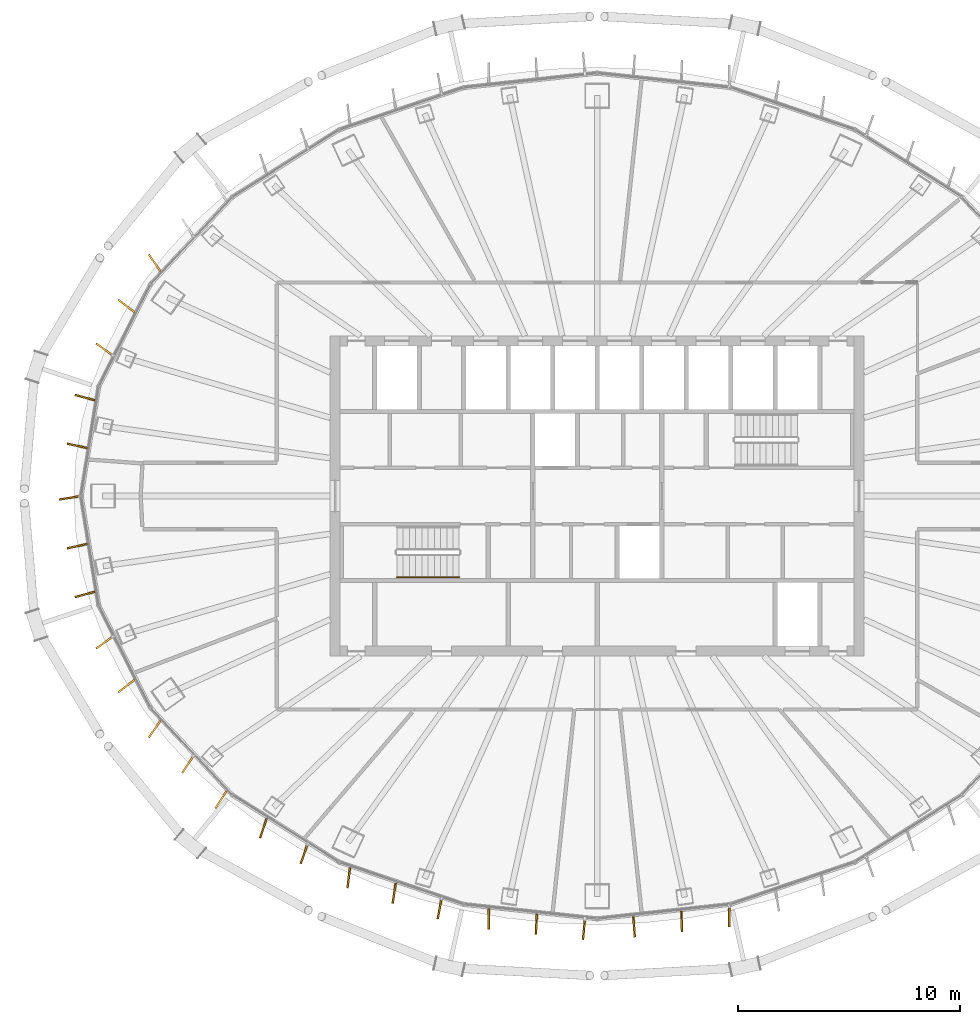
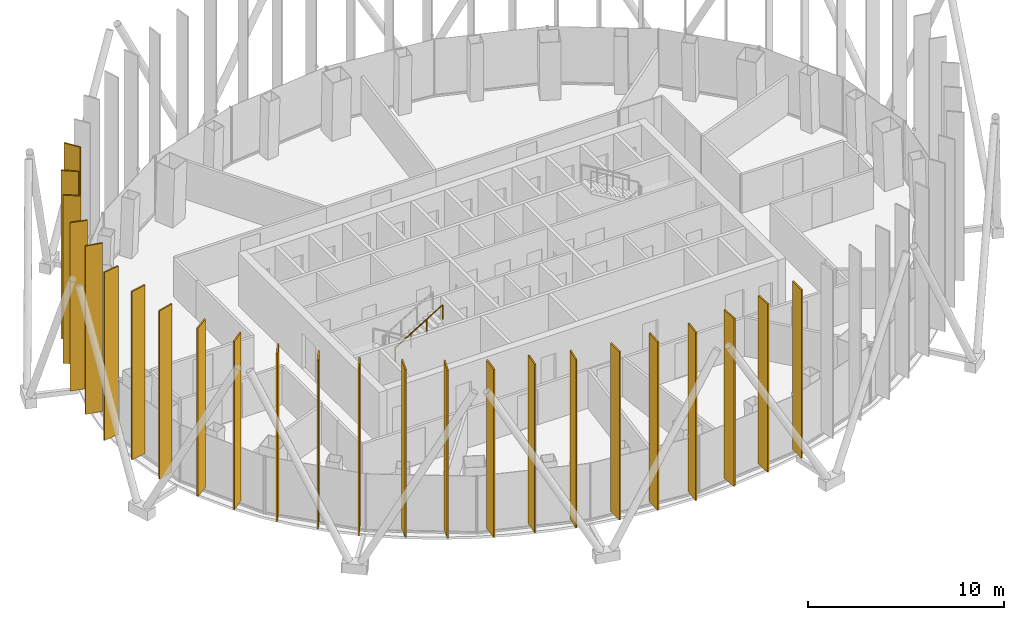
# One storey, part 16 of 19: 24 shading devices, 1 railing.
"""IFC4 building model written with IfcOpenShell, lengths in metres."""

from ifc_helpers import new_model, si_unit, direction, frame, origin, origin_2d, place, context, subcontext, project, spatial, rectangle, circle, extrude, material, layer, layer_set, type_object, element, save


model = new_model("IFC4")

# Units and contexts
model_context = context("Model", 3, precision=1e-05, world=origin(), true_north=direction((0.0, 1.0)))
body_context = subcontext(model_context, "Body", "Model", "MODEL_VIEW")
ifc_project = project(units=[si_unit("LENGTHUNIT", "METRE"), si_unit("AREAUNIT", "SQUARE_METRE"), si_unit("VOLUMEUNIT", "CUBIC_METRE"), si_unit("PLANEANGLEUNIT", "RADIAN"), si_unit("MASSUNIT", "GRAM", prefix="KILO")], contexts=[model_context])

# Site, building, storey
site_placement = place(None, origin())
site = spatial("IfcSite", under=ifc_project, at=site_placement, CompositionType="ELEMENT")
building_placement = place(site_placement, origin())
building = spatial("IfcBuilding", under=site, at=building_placement, Name="Siaravel Broadcast Tower", CompositionType="ELEMENT")
storey_placement = place(building_placement, frame((0.0, 0.0, 179.300048828125)))
storey = spatial("IfcBuildingStorey", under=building, at=storey_placement, Name="L43", CompositionType="ELEMENT", Elevation=179.300048828125)

# Shading devices
ifc_material_1 = material(Name="Bronze anodised aluminium", Category="aluminium")
ifc_layer = layer(ifc_material_1, 0.080078125)
ifc_layer_set = layer_set([ifc_layer], Name="Bronze anodised aluminium")
shading_device_type = type_object("IfcShadingDeviceType", Name="Bronze fin zone 3", PredefinedType="USERDEFINED", material=ifc_layer_set)
for number, where, z_axis, x_axis, name in (
    (1, (-19.89501953125, 10.480712890625, 0.300048828125), (0.0, 0.0, 1.0), (-0.56313237, 0.826366707, 0.0), "Bronze fin L43-26"),
    (2, (-21.164306640625, 8.5458984375, 0.300048828125), (0.0, 0.0, 1.0), (-0.790020208, 0.613080803, 0.0), "Bronze fin L43-27"),
    (3, (-22.1552734375, 6.593017578125, 0.300048828125), (0.0, 0.0, 1.0), (-0.812832452, 0.582497558, 0.0), "Bronze fin L43-28"),
    (4, (-23.025634765625, 4.424072265625, 0.300048828125), (0.0, 0.0, 1.0), (-0.964500749, 0.264080111, 0.0), "Bronze fin L43-29"),
    (5, (-23.376220703125, 2.255615234375, 0.300048828125), (0.0, 0.0, 1.0), (-0.977052638, 0.212997986, 0.0), "Bronze fin L43-30"),
    (6, (-23.7255859375, -0.08544921875, 0.300048828125), (0.0, 0.0, 1.0), (-0.987329198, -0.158685394, 0.0), "Bronze fin L43-31"),
    (7, (-23.376220703125, -2.255615234375, 0.300048828125), (0.0, 0.0, 1.0), (-0.977052638, -0.212997986, 0.0), "Bronze fin L43-32"),
    (8, (-23.025634765625, -4.424072265625, 0.300048828125), (0.0, 0.0, 1.0), (-0.964500749, -0.264080111, 0.0), "Bronze fin L43-33"),
    (9, (-22.1552734375, -6.593017578125, 0.300048828125), (0.0, 0.0, 1.0), (-0.812832452, -0.582497558, 0.0), "Bronze fin L43-34"),
    (10, (-21.164306640625, -8.5458984375, 0.300048828125), (0.0, 0.0, 1.0), (-0.790020208, -0.613080803, 0.0), "Bronze fin L43-35"),
    (11, (-19.89501953125, -10.480712890625, 0.300048828125), (0.0, 0.0, 1.0), (-0.56313237, -0.826366707, 0.0), "Bronze fin L43-36"),
    (12, (-18.403076171875, -12.07080078125, 0.300048828125), (0.0, 0.0, 1.0), (-0.548598248, -0.836086097, 0.0), "Bronze fin L43-37"),
    (13, (-16.9150390625, -13.658203125, 0.300048828125), (0.0, 0.0, 1.0), (-0.542819772, -0.83984921, 0.0), "Bronze fin L43-38"),
    (14, (-15.005859375, -14.938232421875, 0.300048828125), (0.0, 0.0, 1.0), (-0.314960016, -0.949104941, 0.0), "Bronze fin L43-39"),
    (15, (-13.172119140625, -16.092529296875, 0.300048828125), (0.0, 0.0, 1.0), (-0.327511449, -0.94484721, 0.0), "Bronze fin L43-40"),
    (16, (-11.16748046875, -17.165771484375, 0.300048828125), (0.0, 0.0, 1.0), (-0.121273403, -0.992619142, 0.0), "Bronze fin L43-41"),
    (17, (-9.12353515625, -17.86181640625, 0.300048828125), (0.0, 0.0, 1.0), (-0.150127234, -0.988666685, 0.0), "Bronze fin L43-42"),
    (18, (-7.082275390625, -18.55712890625, 0.300048828125), (0.0, 0.0, 1.0), (-0.185357909, -0.982671077, 0.0), "Bronze fin L43-43"),
    (19, (-4.871826171875, -19.021240234375, 0.300048828125), (0.0, 0.0, 1.0), (-0.006834656, -0.999976643, 0.0), "Bronze fin L43-44"),
    (20, (-2.731689453125, -19.253662109375, 0.300048828125), (0.0, 0.0, 1.0), (-0.050450006, -0.998726588, 0.0), "Bronze fin L43-45"),
    (21, (-0.592529296875, -19.485107421875, 0.300048828125), (0.0, 0.0, 1.0), (-0.095875286, -0.995393354, 0.0), "Bronze fin L43-46"),
    (22, (1.662109375, -19.369384765625, 0.300048828125), (0.0, 0.0, 1.0), (0.073093723, -0.997325076, 0.0), "Bronze fin L43-47"),
    (23, (3.801513671875, -19.1376953125, 0.300048828125), (0.0, 0.0, 1.0), (0.028260099, -0.999600604, 0.0), "Bronze fin L43-48"),
    (24, (5.9423828125, -18.90478515625, 0.300048828125), (0.0, 0.0, 1.0), (-0.013546831, -0.999908237, 0.0), "Bronze fin L43-49"),
):
    element("IfcShadingDevice", number, at=place(storey_placement, frame(where, z_axis=z_axis, x_axis=x_axis)), inside=storey, type_object=shading_device_type, Name=name, ObjectType="FIN", PredefinedType="USERDEFINED", context=body_context, shape_type="SweptSolid", body=[
        extrude(rectangle(XDim=0.919921875, YDim=0.080078125, at=origin_2d()), origin(), (0.0, 0.0, 1.0), 10.5),
    ])

# Railing
ifc_material_2 = material(Name="Stainless steel 316L", Category="steel")
railing_type = type_object("IfcRailingType", Name="Stair handrail 900", PredefinedType="HANDRAIL", material=ifc_material_2)
railing_placement = place(storey_placement, frame((-9.0, -3.64990234375, 2.01806640625)))
element("IfcRailing", 25, at=railing_placement, inside=storey, type_object=railing_type, Name="L43 ST-1 stair handrail 2", PredefinedType="HANDRAIL", context=body_context, shape_type="SweptSolid", body=[
    extrude(circle(Radius=0.02392578125, at=origin_2d()), frame((0.0, 0.0, 0.8759765625), z_axis=(0.857242211, 0.0, 0.514913383), x_axis=(0.0, 1.0, 0.0)), (0.0, 0.0, 1.0), 3.266357421875),
    extrude(circle(Radius=0.02099609375, at=origin_2d()), origin(), (0.0, 0.0, 1.0), 0.851806640625),
    extrude(circle(Radius=0.02099609375, at=origin_2d()), frame((0.933349609375, 0.0, 0.560546875)), (0.0, 0.0, 1.0), 0.851806640625),
    extrude(circle(Radius=0.02099609375, at=origin_2d()), frame((1.86669921875, 0.0, 1.121337890625)), (0.0, 0.0, 1.0), 0.851806640625),
    extrude(circle(Radius=0.02099609375, at=origin_2d()), frame((2.800048828125, 0.0, 1.681884765625)), (0.0, 0.0, 1.0), 0.851806640625),
])

save(model, "model.ifc")
